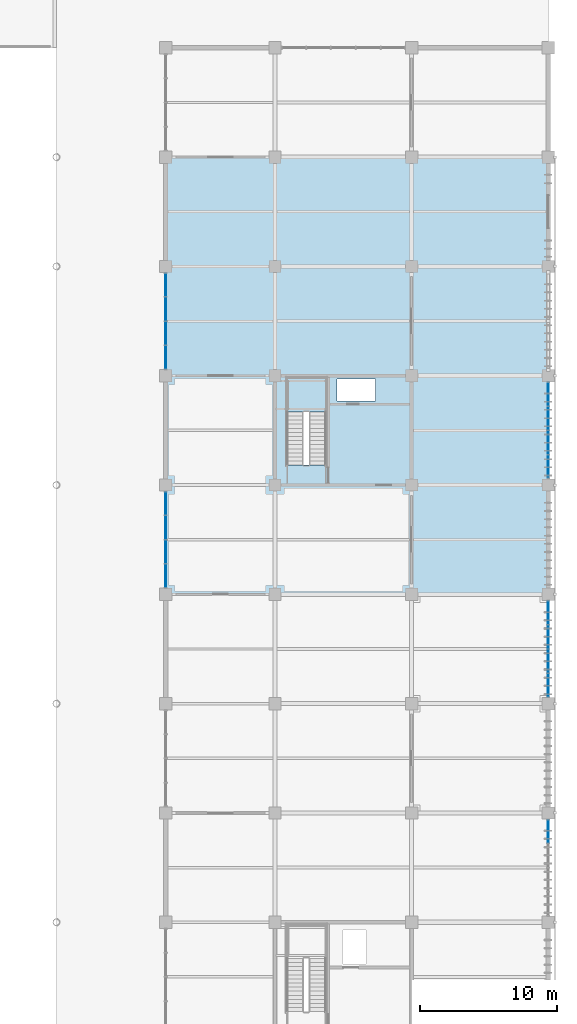
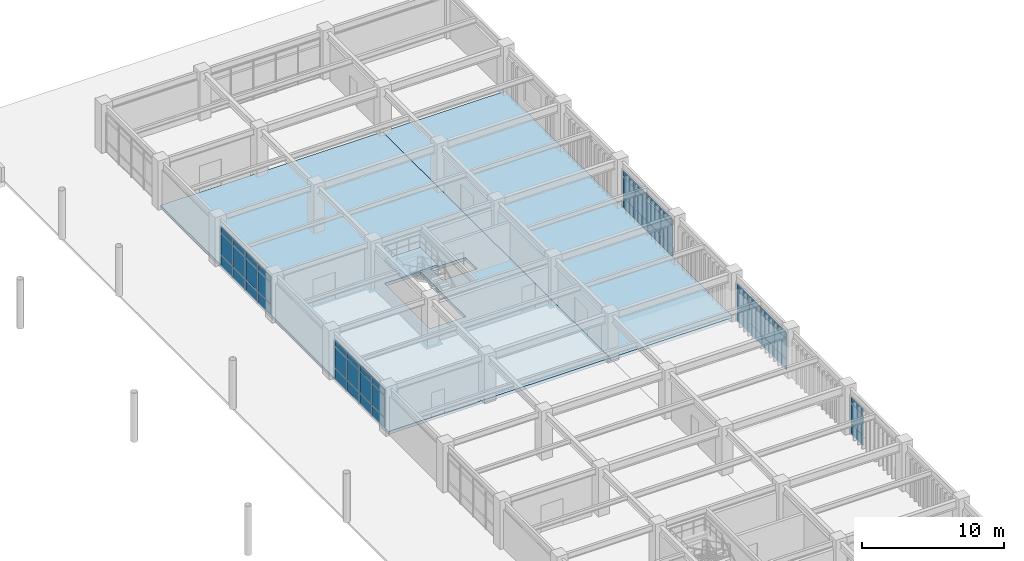
# One storey, part 78 of 118: 51 plates, 3 slabs, 6 elements without a shape of their own.
"""IFC4 building model written with IfcOpenShell, lengths in metres."""

import ifcopenshell
import ifcopenshell.guid

model = None  # the IFC model being written
_history = None  # IfcOwnerHistory: only IFC2X3 demands one
_inside = {}  # id of a spatial element -> (the spatial element, [elements in it])
_under = {}  # id of a project, library or spatial element -> (it, [spatial elements below it])
_declared = {}  # id of a project -> (the project, [libraries it declares])
_typed = {}  # id of a type object -> (the type object, [elements of that type])
_made_of = {}  # id of a material, layer set ... -> (it, [elements and type objects made of it])


def new_model(schema):
    """Start an empty IFC model of exactly this schema.

    Asked for "IFC4X3", IfcOpenShell would pick the latest addendum, in which some entities
    have other attributes; the version numbers below select the first issue.
    IFC2X3 requires an IfcOwnerHistory on every rooted entity: one is made here for all.
    """
    global model, _history
    if schema == "IFC4X3":
        model = ifcopenshell.file(schema_version=(4, 3, 0, 0))
    else:
        model = ifcopenshell.file(schema=schema)
    _inside.clear()
    _under.clear()
    _declared.clear()
    _typed.clear()
    _made_of.clear()
    _history = None
    if model.schema == "IFC2X3":
        org = make("IfcOrganization", Name="unknown")
        user = make(
            "IfcPersonAndOrganization",
            ThePerson=make("IfcPerson", FamilyName="unknown"),
            TheOrganization=org,
        )
        app = make(
            "IfcApplication",
            ApplicationDeveloper=org,
            Version="unknown",
            ApplicationFullName="unknown",
            ApplicationIdentifier="unknown",
        )
        _history = make(
            "IfcOwnerHistory",
            OwningUser=user,
            OwningApplication=app,
            ChangeAction="ADDED",
            CreationDate=0,
        )
    return model


def make(cls, **values):
    """One entity of the class cls with the attributes given. An attribute that is None is left unset."""
    return model.create_entity(
        cls, **{name: value for name, value in values.items() if value is not None}
    )


def rooted(cls, **values):
    """An entity with a GlobalId (a new one), such as an element, a storey or a relation."""
    return make(cls, GlobalId=ifcopenshell.guid.new(), OwnerHistory=_history, **values)


def si_unit(unit_type, name, prefix=None):
    """IfcSIUnit, for example si_unit("LENGTHUNIT", "METRE", prefix="MILLI")."""
    return make("IfcSIUnit", UnitType=unit_type, Prefix=prefix, Name=name)


def assignment(units):
    """IfcUnitAssignment: the units of a project."""
    return None if units is None else make("IfcUnitAssignment", Units=units)


def point(xyz):
    """IfcCartesianPoint."""
    return None if xyz is None else make("IfcCartesianPoint", Coordinates=xyz)


def direction(xyz):
    """IfcDirection."""
    return None if xyz is None else make("IfcDirection", DirectionRatios=xyz)


def frame(location, z_axis=None, x_axis=None):
    """IfcAxis2Placement3D, a coordinate frame: its origin and axes. An axis left out is left unset."""
    return make(
        "IfcAxis2Placement3D",
        Location=point(location),
        Axis=direction(z_axis),
        RefDirection=direction(x_axis),
    )


def frame_2d(location, x_axis=None):
    """IfcAxis2Placement2D, a coordinate frame in the plane: its origin and x axis."""
    return make(
        "IfcAxis2Placement2D", Location=point(location), RefDirection=direction(x_axis)
    )


def origin():
    """The frame at (0, 0, 0) with its axes left unset."""
    return frame((0.0, 0.0, 0.0))


def origin_2d():
    """The frame at (0, 0) in the plane with its x axis left unset."""
    return frame_2d((0.0, 0.0))


def place(relative_to, where):
    """IfcLocalPlacement: puts the frame where relative to a parent placement (None: the world)."""
    return make(
        "IfcLocalPlacement", PlacementRelTo=relative_to, RelativePlacement=where
    )


def context(
    kind, dimensions, precision=None, world=None, true_north=None, identifier=None
):
    """IfcGeometricRepresentationContext, for example the 3D "Model" context."""
    return make(
        "IfcGeometricRepresentationContext",
        ContextIdentifier=identifier,
        ContextType=kind,
        CoordinateSpaceDimension=dimensions,
        Precision=precision,
        WorldCoordinateSystem=world,
        TrueNorth=true_north,
    )


def subcontext(parent, identifier, kind, view, scale=None):
    """IfcGeometricRepresentationSubContext, for example "Body" below "Model"."""
    return make(
        "IfcGeometricRepresentationSubContext",
        ContextIdentifier=identifier,
        ContextType=kind,
        ParentContext=parent,
        TargetScale=scale,
        TargetView=view,
    )


def project(units=None, contexts=None):
    """IfcProject with its units and contexts."""
    return rooted(
        "IfcProject",
        Name="project",
        RepresentationContexts=contexts,
        UnitsInContext=assignment(units),
    )


def spatial(cls, under=None, at=None, **own):
    """A site, building, storey or space (cls), placed at a placement, below another one or the project."""
    s = rooted(cls, ObjectPlacement=at, **own)
    if under is not None:
        _under.setdefault(under.id(), (under, []))[1].append(s)
    return s


def polyline(points):
    """IfcPolyline through the points."""
    return make("IfcPolyline", Points=[point(p) for p in points])


def profile(cls, at=None, kind="AREA", **sizes):
    """A parametric profile (cls). Its sizes go by their IFC names, for example OverallWidth=200.0."""
    return make(cls, ProfileType=kind, Position=at, **sizes)


def rectangle(**sizes):
    """IfcRectangleProfileDef."""
    return profile("IfcRectangleProfileDef", **sizes)


def outline(outer, holes=None, kind="AREA"):
    """IfcArbitraryClosedProfileDef: a profile drawn as a closed curve; with holes, ...WithVoids."""
    if holes is None:
        return make("IfcArbitraryClosedProfileDef", ProfileType=kind, OuterCurve=outer)
    return make(
        "IfcArbitraryProfileDefWithVoids",
        ProfileType=kind,
        OuterCurve=outer,
        InnerCurves=holes,
    )


def extrude(swept, where, along, depth):
    """IfcExtrudedAreaSolid: the profile swept, set in the frame where, extruded along a direction by depth."""
    return make(
        "IfcExtrudedAreaSolid",
        SweptArea=swept,
        Position=where,
        ExtrudedDirection=direction(along),
        Depth=depth,
    )


def shape(context_of_items, identifier, shape_type, items):
    """IfcShapeRepresentation: the items that make up one representation, for example the "Body"."""
    return make(
        "IfcShapeRepresentation",
        ContextOfItems=context_of_items,
        RepresentationIdentifier=identifier,
        RepresentationType=shape_type,
        Items=items,
    )


def material(Name=None, Category=None):
    """IfcMaterial."""
    return make("IfcMaterial", Name=Name, Category=Category)


def layer(
    of_material, thickness, ventilated=None, Name=None, Category=None, Priority=None
):
    """IfcMaterialLayer: one layer of a wall or slab, of a material (None: an air gap)."""
    return make(
        "IfcMaterialLayer",
        Material=of_material,
        LayerThickness=thickness,
        IsVentilated=ventilated,
        Name=Name,
        Category=Category,
        Priority=Priority,
    )


def layer_set(layers, Name=None):
    """IfcMaterialLayerSet."""
    return make("IfcMaterialLayerSet", MaterialLayers=layers, LayerSetName=Name)


def made_of(thing, what):
    """Note that an element or type object is made of a material, layer set ...; save() writes the relation."""
    if what is not None:
        _made_of.setdefault(what.id(), (what, []))[1].append(thing)
    return thing


def type_object(cls, material=None, **own):
    """A type object (cls), such as IfcWallType, which elements share."""
    return made_of(rooted(cls, **own), material)


def element(
    cls,
    number,
    at=None,
    inside=None,
    cuts=None,
    type_object=None,
    material=None,
    context=None,
    identifier="Body",
    shape_type=None,
    held_by="IfcProductDefinitionShape",
    body=None,
    shapes=None,
    **own,
):
    """One element of the class cls, such as IfcWall. Its Tag is "e" and its number.

    at: its placement. inside: the storey or other place that contains it. cuts: it is an
    opening in that element (IfcRelVoidsElement). A single representation is given by context,
    identifier, shape_type and body (its items); several are given by shapes. held_by: the class
    of the entity that holds the representations. save() writes the other relations.
    """
    e = rooted(cls, Tag="e%d" % number, ObjectPlacement=at, **own)
    if body is not None:
        shapes = [shape(context, identifier, shape_type, body)]
    if shapes is not None:
        e.Representation = make(held_by, Representations=shapes)
    if inside is not None:
        _inside.setdefault(inside.id(), (inside, []))[1].append(e)
    if cuts is not None:
        rooted(
            "IfcRelVoidsElement", RelatingBuildingElement=cuts, RelatedOpeningElement=e
        )
    if type_object is not None:
        _typed.setdefault(type_object.id(), (type_object, []))[1].append(e)
    return made_of(e, material)


def aggregate(whole, parts):
    """IfcRelAggregates: a whole, such as a stair, and the parts it consists of."""
    return rooted("IfcRelAggregates", RelatingObject=whole, RelatedObjects=parts)


def save(model, path):
    """Write the relations noted so far, then the file.

    IfcRelAggregates (storeys below a building ...), IfcRelContainedInSpatialStructure (elements
    in a storey), IfcRelDefinesByType, IfcRelAssociatesMaterial and IfcRelDeclares: one each for
    every whole, place, type object, material and project.
    """
    for whole, parts in _under.values():
        aggregate(whole, parts)
    for where, things in _inside.values():
        rooted(
            "IfcRelContainedInSpatialStructure",
            RelatedElements=things,
            RelatingStructure=where,
        )
    for kind, things in _typed.values():
        rooted("IfcRelDefinesByType", RelatedObjects=things, RelatingType=kind)
    for what, things in _made_of.values():
        rooted("IfcRelAssociatesMaterial", RelatedObjects=things, RelatingMaterial=what)
    for by, libraries in _declared.values():
        rooted("IfcRelDeclares", RelatingContext=by, RelatedDefinitions=libraries)
    model.write(path)


model = new_model("IFC4")

# Units and contexts
model_context = context("Model", 3, precision=1e-05, world=origin(), true_north=direction((0.0, 1.0)))
body_context = subcontext(model_context, "Body", "Model", "MODEL_VIEW")
ifc_project = project(units=[si_unit("LENGTHUNIT", "METRE"), si_unit("AREAUNIT", "SQUARE_METRE"), si_unit("VOLUMEUNIT", "CUBIC_METRE"), si_unit("PLANEANGLEUNIT", "RADIAN"), si_unit("MASSUNIT", "GRAM", prefix="KILO")], contexts=[model_context])

# Site, building, storey
site_placement = place(None, origin())
site = spatial("IfcSite", under=ifc_project, at=site_placement, CompositionType="ELEMENT")
building_placement = place(site_placement, origin())
building = spatial("IfcBuilding", under=site, at=building_placement, Name="Haebicheon Civic Stadium", CompositionType="ELEMENT")
storey_placement = place(building_placement, frame((0.0, 0.0, 14.39990234375)))
storey = spatial("IfcBuildingStorey", under=building, at=storey_placement, Name="L04", CompositionType="ELEMENT", Elevation=14.39990234375)

# Curtain wall, plates
ifc_material_1 = material(Name="Anodised aluminium and laminated glass", Category="aluminium")
ifc_layer_1 = layer(ifc_material_1, 0.179931640625, Name="Anodised aluminium and laminated glass")
ifc_layer_set_1 = layer_set([ifc_layer_1], Name="Anodised aluminium and laminated glass")
curtain_wall_type_1 = type_object("IfcCurtainWallType", Name="CW-7100x3330", PredefinedType="NOTDEFINED", material=ifc_layer_set_1)
curtain_wall_1_placement = place(storey_placement, origin())
curtain_wall_1 = element("IfcCurtainWall", 1, at=curtain_wall_1_placement, inside=storey, type_object=curtain_wall_type_1, material=ifc_layer_set_1, Name="L04 unitised curtain wall 172", PredefinedType="NOTDEFINED")
ifc_material_2 = material(Name="Double low-e acoustic laminated glass", Category="glass")
ifc_layer_2 = layer(ifc_material_2, 0.035888671875, Name="Double low-e acoustic laminated glass")
ifc_layer_set_2 = layer_set([ifc_layer_2], Name="Double low-e acoustic laminated glass")
plate_type_1 = type_object("IfcPlateType", Name="CWP-GLZ-36", PredefinedType="CURTAIN_PANEL", material=ifc_layer_set_2)
plate_1_placement = place(storey_placement, frame((208.0, 97.35498046875, 0.93505859375), z_axis=(0.0, 0.0, 1.0), x_axis=(0.0, 1.0, 0.0)))
plate_1 = element("IfcPlate", 2, at=plate_1_placement, type_object=plate_type_1, material=ifc_layer_set_2, Name="CW-L04-172 vision panel 1.2", PredefinedType="CURTAIN_PANEL", context=body_context, shape_type="SweptSolid", body=[
    extrude(rectangle(XDim=1.669921875, YDim=0.035888671875, at=origin_2d()), origin(), (0.0, 0.0, 1.0), 1.81005859375),
])
plate_2_placement = place(storey_placement, frame((208.0, 99.112060546875, 0.93505859375), z_axis=(0.0, 0.0, 1.0), x_axis=(0.0, 1.0, 0.0)))
plate_2 = element("IfcPlate", 3, at=plate_2_placement, type_object=plate_type_1, material=ifc_layer_set_2, Name="CW-L04-172 vision panel 2.2", PredefinedType="CURTAIN_PANEL", context=body_context, shape_type="SweptSolid", body=[
    extrude(rectangle(XDim=1.705078125, YDim=0.035888671875, at=origin_2d()), origin(), (0.0, 0.0, 1.0), 1.81005859375),
])
plate_3_placement = place(storey_placement, frame((208.0, 100.887939453125, 0.93505859375), z_axis=(0.0, 0.0, 1.0), x_axis=(0.0, 1.0, 0.0)))
plate_3 = element("IfcPlate", 4, at=plate_3_placement, type_object=plate_type_1, material=ifc_layer_set_2, Name="CW-L04-172 vision panel 3.2", PredefinedType="CURTAIN_PANEL", context=body_context, shape_type="SweptSolid", body=[
    extrude(rectangle(XDim=1.705078125, YDim=0.035888671875, at=origin_2d()), origin(), (0.0, 0.0, 1.0), 1.81005859375),
])
plate_4_placement = place(storey_placement, frame((208.0, 102.64501953125, 0.93505859375), z_axis=(0.0, 0.0, 1.0), x_axis=(0.0, 1.0, 0.0)))
plate_4 = element("IfcPlate", 5, at=plate_4_placement, type_object=plate_type_1, material=ifc_layer_set_2, Name="CW-L04-172 vision panel 4.2", PredefinedType="CURTAIN_PANEL", context=body_context, shape_type="SweptSolid", body=[
    extrude(rectangle(XDim=1.669921875, YDim=0.035888671875, at=origin_2d()), origin(), (0.0, 0.0, 1.0), 1.81005859375),
])

curtain_wall_2_placement = place(storey_placement, origin())
curtain_wall_2 = element("IfcCurtainWall", 6, at=curtain_wall_2_placement, inside=storey, type_object=curtain_wall_type_1, material=ifc_layer_set_1, Name="L04 unitised curtain wall 173", PredefinedType="NOTDEFINED")
plate_5_placement = place(storey_placement, frame((208.0, 113.35498046875, 0.93505859375), z_axis=(0.0, 0.0, 1.0), x_axis=(0.0, 1.0, 0.0)))
plate_5 = element("IfcPlate", 7, at=plate_5_placement, type_object=plate_type_1, material=ifc_layer_set_2, Name="CW-L04-173 vision panel 1.2", PredefinedType="CURTAIN_PANEL", context=body_context, shape_type="SweptSolid", body=[
    extrude(rectangle(XDim=1.669921875, YDim=0.035888671875, at=origin_2d()), origin(), (0.0, 0.0, 1.0), 1.81005859375),
])
plate_6_placement = place(storey_placement, frame((208.0, 115.112060546875, 0.93505859375), z_axis=(0.0, 0.0, 1.0), x_axis=(0.0, 1.0, 0.0)))
plate_6 = element("IfcPlate", 8, at=plate_6_placement, type_object=plate_type_1, material=ifc_layer_set_2, Name="CW-L04-173 vision panel 2.2", PredefinedType="CURTAIN_PANEL", context=body_context, shape_type="SweptSolid", body=[
    extrude(rectangle(XDim=1.705078125, YDim=0.035888671875, at=origin_2d()), origin(), (0.0, 0.0, 1.0), 1.81005859375),
])
plate_7_placement = place(storey_placement, frame((208.0, 116.887939453125, 0.93505859375), z_axis=(0.0, 0.0, 1.0), x_axis=(0.0, 1.0, 0.0)))
plate_7 = element("IfcPlate", 9, at=plate_7_placement, type_object=plate_type_1, material=ifc_layer_set_2, Name="CW-L04-173 vision panel 3.2", PredefinedType="CURTAIN_PANEL", context=body_context, shape_type="SweptSolid", body=[
    extrude(rectangle(XDim=1.705078125, YDim=0.035888671875, at=origin_2d()), origin(), (0.0, 0.0, 1.0), 1.81005859375),
])
plate_8_placement = place(storey_placement, frame((208.0, 118.64501953125, 0.93505859375), z_axis=(0.0, 0.0, 1.0), x_axis=(0.0, 1.0, 0.0)))
plate_8 = element("IfcPlate", 10, at=plate_8_placement, type_object=plate_type_1, material=ifc_layer_set_2, Name="CW-L04-173 vision panel 4.2", PredefinedType="CURTAIN_PANEL", context=body_context, shape_type="SweptSolid", body=[
    extrude(rectangle(XDim=1.669921875, YDim=0.035888671875, at=origin_2d()), origin(), (0.0, 0.0, 1.0), 1.81005859375),
])

# Curtain wall, plate
ifc_material_3 = material(Name="Anodised aluminium and laminated glass", Category="aluminium")
ifc_layer_3 = layer(ifc_material_3, 0.179931640625, Name="Anodised aluminium and laminated glass")
ifc_layer_set_3 = layer_set([ifc_layer_3], Name="Anodised aluminium and laminated glass")
curtain_wall_type_2 = type_object("IfcCurtainWallType", Name="CW-7100x3230", PredefinedType="NOTDEFINED", material=ifc_layer_set_3)
curtain_wall_3_placement = place(storey_placement, origin())
curtain_wall_3 = element("IfcCurtainWall", 11, at=curtain_wall_3_placement, inside=storey, type_object=curtain_wall_type_2, material=ifc_layer_set_3, Name="L04 unitised curtain wall 178", PredefinedType="NOTDEFINED")
plate_9_placement = place(storey_placement, frame((236.0, 78.64501953125, 0.93505859375), z_axis=(0.0, 0.0, 1.0), x_axis=(0.0, 1.0, 0.0)))
plate_9 = element("IfcPlate", 12, at=plate_9_placement, type_object=plate_type_1, material=ifc_layer_set_2, Name="CW-L04-178 vision panel 4.2", PredefinedType="CURTAIN_PANEL", context=body_context, shape_type="SweptSolid", body=[
    extrude(rectangle(XDim=1.669921875, YDim=0.035888671875, at=origin_2d()), origin(), (0.0, 0.0, 1.0), 1.7099609375),
])

# Curtain wall, plates
curtain_wall_4_placement = place(storey_placement, origin())
curtain_wall_4 = element("IfcCurtainWall", 13, at=curtain_wall_4_placement, inside=storey, type_object=curtain_wall_type_2, material=ifc_layer_set_3, Name="L04 unitised curtain wall 179", PredefinedType="NOTDEFINED")
plate_10_placement = place(storey_placement, frame((236.0, 89.35498046875, 0.93505859375), z_axis=(0.0, 0.0, 1.0), x_axis=(0.0, 1.0, 0.0)))
plate_10 = element("IfcPlate", 14, at=plate_10_placement, type_object=plate_type_1, material=ifc_layer_set_2, Name="CW-L04-179 vision panel 1.2", PredefinedType="CURTAIN_PANEL", context=body_context, shape_type="SweptSolid", body=[
    extrude(rectangle(XDim=1.669921875, YDim=0.035888671875, at=origin_2d()), origin(), (0.0, 0.0, 1.0), 1.7099609375),
])
plate_11_placement = place(storey_placement, frame((236.0, 91.112060546875, 0.93505859375), z_axis=(0.0, 0.0, 1.0), x_axis=(0.0, 1.0, 0.0)))
plate_11 = element("IfcPlate", 15, at=plate_11_placement, type_object=plate_type_1, material=ifc_layer_set_2, Name="CW-L04-179 vision panel 2.2", PredefinedType="CURTAIN_PANEL", context=body_context, shape_type="SweptSolid", body=[
    extrude(rectangle(XDim=1.705078125, YDim=0.035888671875, at=origin_2d()), origin(), (0.0, 0.0, 1.0), 1.7099609375),
])
plate_12_placement = place(storey_placement, frame((236.0, 92.887939453125, 0.93505859375), z_axis=(0.0, 0.0, 1.0), x_axis=(0.0, 1.0, 0.0)))
plate_12 = element("IfcPlate", 16, at=plate_12_placement, type_object=plate_type_1, material=ifc_layer_set_2, Name="CW-L04-179 vision panel 3.2", PredefinedType="CURTAIN_PANEL", context=body_context, shape_type="SweptSolid", body=[
    extrude(rectangle(XDim=1.705078125, YDim=0.035888671875, at=origin_2d()), origin(), (0.0, 0.0, 1.0), 1.7099609375),
])
plate_13_placement = place(storey_placement, frame((236.0, 94.64501953125, 0.93505859375), z_axis=(0.0, 0.0, 1.0), x_axis=(0.0, 1.0, 0.0)))
plate_13 = element("IfcPlate", 17, at=plate_13_placement, type_object=plate_type_1, material=ifc_layer_set_2, Name="CW-L04-179 vision panel 4.2", PredefinedType="CURTAIN_PANEL", context=body_context, shape_type="SweptSolid", body=[
    extrude(rectangle(XDim=1.669921875, YDim=0.035888671875, at=origin_2d()), origin(), (0.0, 0.0, 1.0), 1.7099609375),
])

curtain_wall_5_placement = place(storey_placement, origin())
curtain_wall_5 = element("IfcCurtainWall", 18, at=curtain_wall_5_placement, inside=storey, type_object=curtain_wall_type_2, material=ifc_layer_set_3, Name="L04 unitised curtain wall 180", PredefinedType="NOTDEFINED")
plate_14_placement = place(storey_placement, frame((236.0, 105.35498046875, 0.93505859375), z_axis=(0.0, 0.0, 1.0), x_axis=(0.0, 1.0, 0.0)))
plate_14 = element("IfcPlate", 19, at=plate_14_placement, type_object=plate_type_1, material=ifc_layer_set_2, Name="CW-L04-180 vision panel 1.2", PredefinedType="CURTAIN_PANEL", context=body_context, shape_type="SweptSolid", body=[
    extrude(rectangle(XDim=1.669921875, YDim=0.035888671875, at=origin_2d()), origin(), (0.0, 0.0, 1.0), 1.7099609375),
])
plate_15_placement = place(storey_placement, frame((236.0, 107.112060546875, 0.93505859375), z_axis=(0.0, 0.0, 1.0), x_axis=(0.0, 1.0, 0.0)))
plate_15 = element("IfcPlate", 20, at=plate_15_placement, type_object=plate_type_1, material=ifc_layer_set_2, Name="CW-L04-180 vision panel 2.2", PredefinedType="CURTAIN_PANEL", context=body_context, shape_type="SweptSolid", body=[
    extrude(rectangle(XDim=1.705078125, YDim=0.035888671875, at=origin_2d()), origin(), (0.0, 0.0, 1.0), 1.7099609375),
])
plate_16_placement = place(storey_placement, frame((236.0, 108.887939453125, 0.93505859375), z_axis=(0.0, 0.0, 1.0), x_axis=(0.0, 1.0, 0.0)))
plate_16 = element("IfcPlate", 21, at=plate_16_placement, type_object=plate_type_1, material=ifc_layer_set_2, Name="CW-L04-180 vision panel 3.2", PredefinedType="CURTAIN_PANEL", context=body_context, shape_type="SweptSolid", body=[
    extrude(rectangle(XDim=1.705078125, YDim=0.035888671875, at=origin_2d()), origin(), (0.0, 0.0, 1.0), 1.7099609375),
])
plate_17_placement = place(storey_placement, frame((236.0, 110.64501953125, 0.93505859375), z_axis=(0.0, 0.0, 1.0), x_axis=(0.0, 1.0, 0.0)))
plate_17 = element("IfcPlate", 22, at=plate_17_placement, type_object=plate_type_1, material=ifc_layer_set_2, Name="CW-L04-180 vision panel 4.2", PredefinedType="CURTAIN_PANEL", context=body_context, shape_type="SweptSolid", body=[
    extrude(rectangle(XDim=1.669921875, YDim=0.035888671875, at=origin_2d()), origin(), (0.0, 0.0, 1.0), 1.7099609375),
])

# Plate
ifc_material_4 = material(Name="Anodised aluminium 6063-T6", Category="aluminium")
ifc_layer_4 = layer(ifc_material_4, 0.053955078125, Name="Anodised aluminium 6063-T6")
ifc_layer_set_4 = layer_set([ifc_layer_4], Name="Anodised aluminium 6063-T6")
plate_type_2 = type_object("IfcPlateType", Name="CWP-SPD-54", PredefinedType="CURTAIN_PANEL", material=ifc_layer_set_4)
plate_18_placement = place(storey_placement, frame((208.0, 97.35498046875, 0.03515625), z_axis=(0.0, 0.0, 1.0), x_axis=(0.0, 1.0, 0.0)))
plate_18 = element("IfcPlate", 23, at=plate_18_placement, type_object=plate_type_2, material=ifc_layer_set_4, Name="CW-L04-172 spandrel panel 1.1", PredefinedType="CURTAIN_PANEL", context=body_context, shape_type="SweptSolid", body=[
    extrude(rectangle(XDim=1.669921875, YDim=0.053955078125, at=origin_2d()), origin(), (0.0, 0.0, 1.0), 0.830078125),
])

plate_19_placement = place(storey_placement, frame((208.0, 97.35498046875, 2.815185546875), z_axis=(0.0, 0.0, 1.0), x_axis=(0.0, 1.0, 0.0)))
plate_19 = element("IfcPlate", 24, at=plate_19_placement, type_object=plate_type_2, material=ifc_layer_set_4, Name="CW-L04-172 spandrel panel 1.3", PredefinedType="CURTAIN_PANEL", context=body_context, shape_type="SweptSolid", body=[
    extrude(rectangle(XDim=1.669921875, YDim=0.053955078125, at=origin_2d()), origin(), (0.0, 0.0, 1.0), 0.47998046875),
])

plate_20_placement = place(storey_placement, frame((208.0, 99.112060546875, 0.03515625), z_axis=(0.0, 0.0, 1.0), x_axis=(0.0, 1.0, 0.0)))
plate_20 = element("IfcPlate", 25, at=plate_20_placement, type_object=plate_type_2, material=ifc_layer_set_4, Name="CW-L04-172 spandrel panel 2.1", PredefinedType="CURTAIN_PANEL", context=body_context, shape_type="SweptSolid", body=[
    extrude(rectangle(XDim=1.705078125, YDim=0.053955078125, at=origin_2d()), origin(), (0.0, 0.0, 1.0), 0.830078125),
])

plate_21_placement = place(storey_placement, frame((208.0, 99.112060546875, 2.815185546875), z_axis=(0.0, 0.0, 1.0), x_axis=(0.0, 1.0, 0.0)))
plate_21 = element("IfcPlate", 26, at=plate_21_placement, type_object=plate_type_2, material=ifc_layer_set_4, Name="CW-L04-172 spandrel panel 2.3", PredefinedType="CURTAIN_PANEL", context=body_context, shape_type="SweptSolid", body=[
    extrude(rectangle(XDim=1.705078125, YDim=0.053955078125, at=origin_2d()), origin(), (0.0, 0.0, 1.0), 0.47998046875),
])

plate_22_placement = place(storey_placement, frame((208.0, 100.887939453125, 0.03515625), z_axis=(0.0, 0.0, 1.0), x_axis=(0.0, 1.0, 0.0)))
plate_22 = element("IfcPlate", 27, at=plate_22_placement, type_object=plate_type_2, material=ifc_layer_set_4, Name="CW-L04-172 spandrel panel 3.1", PredefinedType="CURTAIN_PANEL", context=body_context, shape_type="SweptSolid", body=[
    extrude(rectangle(XDim=1.705078125, YDim=0.053955078125, at=origin_2d()), origin(), (0.0, 0.0, 1.0), 0.830078125),
])

plate_23_placement = place(storey_placement, frame((208.0, 100.887939453125, 2.815185546875), z_axis=(0.0, 0.0, 1.0), x_axis=(0.0, 1.0, 0.0)))
plate_23 = element("IfcPlate", 28, at=plate_23_placement, type_object=plate_type_2, material=ifc_layer_set_4, Name="CW-L04-172 spandrel panel 3.3", PredefinedType="CURTAIN_PANEL", context=body_context, shape_type="SweptSolid", body=[
    extrude(rectangle(XDim=1.705078125, YDim=0.053955078125, at=origin_2d()), origin(), (0.0, 0.0, 1.0), 0.47998046875),
])

plate_24_placement = place(storey_placement, frame((208.0, 102.64501953125, 0.03515625), z_axis=(0.0, 0.0, 1.0), x_axis=(0.0, 1.0, 0.0)))
plate_24 = element("IfcPlate", 29, at=plate_24_placement, type_object=plate_type_2, material=ifc_layer_set_4, Name="CW-L04-172 spandrel panel 4.1", PredefinedType="CURTAIN_PANEL", context=body_context, shape_type="SweptSolid", body=[
    extrude(rectangle(XDim=1.669921875, YDim=0.053955078125, at=origin_2d()), origin(), (0.0, 0.0, 1.0), 0.830078125),
])

plate_25_placement = place(storey_placement, frame((208.0, 102.64501953125, 2.815185546875), z_axis=(0.0, 0.0, 1.0), x_axis=(0.0, 1.0, 0.0)))
plate_25 = element("IfcPlate", 30, at=plate_25_placement, type_object=plate_type_2, material=ifc_layer_set_4, Name="CW-L04-172 spandrel panel 4.3", PredefinedType="CURTAIN_PANEL", context=body_context, shape_type="SweptSolid", body=[
    extrude(rectangle(XDim=1.669921875, YDim=0.053955078125, at=origin_2d()), origin(), (0.0, 0.0, 1.0), 0.47998046875),
])

aggregate(curtain_wall_1, [plate_18, plate_1, plate_19, plate_20, plate_2, plate_21, plate_22, plate_3, plate_23, plate_24, plate_4, plate_25])

plate_26_placement = place(storey_placement, frame((208.0, 113.35498046875, 0.03515625), z_axis=(0.0, 0.0, 1.0), x_axis=(0.0, 1.0, 0.0)))
plate_26 = element("IfcPlate", 31, at=plate_26_placement, type_object=plate_type_2, material=ifc_layer_set_4, Name="CW-L04-173 spandrel panel 1.1", PredefinedType="CURTAIN_PANEL", context=body_context, shape_type="SweptSolid", body=[
    extrude(rectangle(XDim=1.669921875, YDim=0.053955078125, at=origin_2d()), origin(), (0.0, 0.0, 1.0), 0.830078125),
])

plate_27_placement = place(storey_placement, frame((208.0, 113.35498046875, 2.815185546875), z_axis=(0.0, 0.0, 1.0), x_axis=(0.0, 1.0, 0.0)))
plate_27 = element("IfcPlate", 32, at=plate_27_placement, type_object=plate_type_2, material=ifc_layer_set_4, Name="CW-L04-173 spandrel panel 1.3", PredefinedType="CURTAIN_PANEL", context=body_context, shape_type="SweptSolid", body=[
    extrude(rectangle(XDim=1.669921875, YDim=0.053955078125, at=origin_2d()), origin(), (0.0, 0.0, 1.0), 0.47998046875),
])

plate_28_placement = place(storey_placement, frame((208.0, 115.112060546875, 0.03515625), z_axis=(0.0, 0.0, 1.0), x_axis=(0.0, 1.0, 0.0)))
plate_28 = element("IfcPlate", 33, at=plate_28_placement, type_object=plate_type_2, material=ifc_layer_set_4, Name="CW-L04-173 spandrel panel 2.1", PredefinedType="CURTAIN_PANEL", context=body_context, shape_type="SweptSolid", body=[
    extrude(rectangle(XDim=1.705078125, YDim=0.053955078125, at=origin_2d()), origin(), (0.0, 0.0, 1.0), 0.830078125),
])

plate_29_placement = place(storey_placement, frame((208.0, 115.112060546875, 2.815185546875), z_axis=(0.0, 0.0, 1.0), x_axis=(0.0, 1.0, 0.0)))
plate_29 = element("IfcPlate", 34, at=plate_29_placement, type_object=plate_type_2, material=ifc_layer_set_4, Name="CW-L04-173 spandrel panel 2.3", PredefinedType="CURTAIN_PANEL", context=body_context, shape_type="SweptSolid", body=[
    extrude(rectangle(XDim=1.705078125, YDim=0.053955078125, at=origin_2d()), origin(), (0.0, 0.0, 1.0), 0.47998046875),
])

plate_30_placement = place(storey_placement, frame((208.0, 116.887939453125, 0.03515625), z_axis=(0.0, 0.0, 1.0), x_axis=(0.0, 1.0, 0.0)))
plate_30 = element("IfcPlate", 35, at=plate_30_placement, type_object=plate_type_2, material=ifc_layer_set_4, Name="CW-L04-173 spandrel panel 3.1", PredefinedType="CURTAIN_PANEL", context=body_context, shape_type="SweptSolid", body=[
    extrude(rectangle(XDim=1.705078125, YDim=0.053955078125, at=origin_2d()), origin(), (0.0, 0.0, 1.0), 0.830078125),
])

plate_31_placement = place(storey_placement, frame((208.0, 116.887939453125, 2.815185546875), z_axis=(0.0, 0.0, 1.0), x_axis=(0.0, 1.0, 0.0)))
plate_31 = element("IfcPlate", 36, at=plate_31_placement, type_object=plate_type_2, material=ifc_layer_set_4, Name="CW-L04-173 spandrel panel 3.3", PredefinedType="CURTAIN_PANEL", context=body_context, shape_type="SweptSolid", body=[
    extrude(rectangle(XDim=1.705078125, YDim=0.053955078125, at=origin_2d()), origin(), (0.0, 0.0, 1.0), 0.47998046875),
])

plate_32_placement = place(storey_placement, frame((208.0, 118.64501953125, 0.03515625), z_axis=(0.0, 0.0, 1.0), x_axis=(0.0, 1.0, 0.0)))
plate_32 = element("IfcPlate", 37, at=plate_32_placement, type_object=plate_type_2, material=ifc_layer_set_4, Name="CW-L04-173 spandrel panel 4.1", PredefinedType="CURTAIN_PANEL", context=body_context, shape_type="SweptSolid", body=[
    extrude(rectangle(XDim=1.669921875, YDim=0.053955078125, at=origin_2d()), origin(), (0.0, 0.0, 1.0), 0.830078125),
])

plate_33_placement = place(storey_placement, frame((208.0, 118.64501953125, 2.815185546875), z_axis=(0.0, 0.0, 1.0), x_axis=(0.0, 1.0, 0.0)))
plate_33 = element("IfcPlate", 38, at=plate_33_placement, type_object=plate_type_2, material=ifc_layer_set_4, Name="CW-L04-173 spandrel panel 4.3", PredefinedType="CURTAIN_PANEL", context=body_context, shape_type="SweptSolid", body=[
    extrude(rectangle(XDim=1.669921875, YDim=0.053955078125, at=origin_2d()), origin(), (0.0, 0.0, 1.0), 0.47998046875),
])

aggregate(curtain_wall_2, [plate_26, plate_5, plate_27, plate_28, plate_6, plate_29, plate_30, plate_7, plate_31, plate_32, plate_8, plate_33])

plate_34_placement = place(storey_placement, frame((236.0, 78.64501953125, 0.03515625), z_axis=(0.0, 0.0, 1.0), x_axis=(0.0, 1.0, 0.0)))
plate_34 = element("IfcPlate", 39, at=plate_34_placement, type_object=plate_type_2, material=ifc_layer_set_4, Name="CW-L04-178 spandrel panel 4.1", PredefinedType="CURTAIN_PANEL", context=body_context, shape_type="SweptSolid", body=[
    extrude(rectangle(XDim=1.669921875, YDim=0.053955078125, at=origin_2d()), origin(), (0.0, 0.0, 1.0), 0.830078125),
])

plate_35_placement = place(storey_placement, frame((236.0, 78.64501953125, 2.715087890625), z_axis=(0.0, 0.0, 1.0), x_axis=(0.0, 1.0, 0.0)))
plate_35 = element("IfcPlate", 40, at=plate_35_placement, type_object=plate_type_2, material=ifc_layer_set_4, Name="CW-L04-178 spandrel panel 4.3", PredefinedType="CURTAIN_PANEL", context=body_context, shape_type="SweptSolid", body=[
    extrude(rectangle(XDim=1.669921875, YDim=0.053955078125, at=origin_2d()), origin(), (0.0, 0.0, 1.0), 0.47998046875),
])

aggregate(curtain_wall_3, [plate_34, plate_9, plate_35])

plate_36_placement = place(storey_placement, frame((236.0, 89.35498046875, 0.03515625), z_axis=(0.0, 0.0, 1.0), x_axis=(0.0, 1.0, 0.0)))
plate_36 = element("IfcPlate", 41, at=plate_36_placement, type_object=plate_type_2, material=ifc_layer_set_4, Name="CW-L04-179 spandrel panel 1.1", PredefinedType="CURTAIN_PANEL", context=body_context, shape_type="SweptSolid", body=[
    extrude(rectangle(XDim=1.669921875, YDim=0.053955078125, at=origin_2d()), origin(), (0.0, 0.0, 1.0), 0.830078125),
])

plate_37_placement = place(storey_placement, frame((236.0, 89.35498046875, 2.715087890625), z_axis=(0.0, 0.0, 1.0), x_axis=(0.0, 1.0, 0.0)))
plate_37 = element("IfcPlate", 42, at=plate_37_placement, type_object=plate_type_2, material=ifc_layer_set_4, Name="CW-L04-179 spandrel panel 1.3", PredefinedType="CURTAIN_PANEL", context=body_context, shape_type="SweptSolid", body=[
    extrude(rectangle(XDim=1.669921875, YDim=0.053955078125, at=origin_2d()), origin(), (0.0, 0.0, 1.0), 0.47998046875),
])

plate_38_placement = place(storey_placement, frame((236.0, 91.112060546875, 0.03515625), z_axis=(0.0, 0.0, 1.0), x_axis=(0.0, 1.0, 0.0)))
plate_38 = element("IfcPlate", 43, at=plate_38_placement, type_object=plate_type_2, material=ifc_layer_set_4, Name="CW-L04-179 spandrel panel 2.1", PredefinedType="CURTAIN_PANEL", context=body_context, shape_type="SweptSolid", body=[
    extrude(rectangle(XDim=1.705078125, YDim=0.053955078125, at=origin_2d()), origin(), (0.0, 0.0, 1.0), 0.830078125),
])

plate_39_placement = place(storey_placement, frame((236.0, 91.112060546875, 2.715087890625), z_axis=(0.0, 0.0, 1.0), x_axis=(0.0, 1.0, 0.0)))
plate_39 = element("IfcPlate", 44, at=plate_39_placement, type_object=plate_type_2, material=ifc_layer_set_4, Name="CW-L04-179 spandrel panel 2.3", PredefinedType="CURTAIN_PANEL", context=body_context, shape_type="SweptSolid", body=[
    extrude(rectangle(XDim=1.705078125, YDim=0.053955078125, at=origin_2d()), origin(), (0.0, 0.0, 1.0), 0.47998046875),
])

plate_40_placement = place(storey_placement, frame((236.0, 92.887939453125, 0.03515625), z_axis=(0.0, 0.0, 1.0), x_axis=(0.0, 1.0, 0.0)))
plate_40 = element("IfcPlate", 45, at=plate_40_placement, type_object=plate_type_2, material=ifc_layer_set_4, Name="CW-L04-179 spandrel panel 3.1", PredefinedType="CURTAIN_PANEL", context=body_context, shape_type="SweptSolid", body=[
    extrude(rectangle(XDim=1.705078125, YDim=0.053955078125, at=origin_2d()), origin(), (0.0, 0.0, 1.0), 0.830078125),
])

plate_41_placement = place(storey_placement, frame((236.0, 92.887939453125, 2.715087890625), z_axis=(0.0, 0.0, 1.0), x_axis=(0.0, 1.0, 0.0)))
plate_41 = element("IfcPlate", 46, at=plate_41_placement, type_object=plate_type_2, material=ifc_layer_set_4, Name="CW-L04-179 spandrel panel 3.3", PredefinedType="CURTAIN_PANEL", context=body_context, shape_type="SweptSolid", body=[
    extrude(rectangle(XDim=1.705078125, YDim=0.053955078125, at=origin_2d()), origin(), (0.0, 0.0, 1.0), 0.47998046875),
])

plate_42_placement = place(storey_placement, frame((236.0, 94.64501953125, 0.03515625), z_axis=(0.0, 0.0, 1.0), x_axis=(0.0, 1.0, 0.0)))
plate_42 = element("IfcPlate", 47, at=plate_42_placement, type_object=plate_type_2, material=ifc_layer_set_4, Name="CW-L04-179 spandrel panel 4.1", PredefinedType="CURTAIN_PANEL", context=body_context, shape_type="SweptSolid", body=[
    extrude(rectangle(XDim=1.669921875, YDim=0.053955078125, at=origin_2d()), origin(), (0.0, 0.0, 1.0), 0.830078125),
])

plate_43_placement = place(storey_placement, frame((236.0, 94.64501953125, 2.715087890625), z_axis=(0.0, 0.0, 1.0), x_axis=(0.0, 1.0, 0.0)))
plate_43 = element("IfcPlate", 48, at=plate_43_placement, type_object=plate_type_2, material=ifc_layer_set_4, Name="CW-L04-179 spandrel panel 4.3", PredefinedType="CURTAIN_PANEL", context=body_context, shape_type="SweptSolid", body=[
    extrude(rectangle(XDim=1.669921875, YDim=0.053955078125, at=origin_2d()), origin(), (0.0, 0.0, 1.0), 0.47998046875),
])

aggregate(curtain_wall_4, [plate_36, plate_10, plate_37, plate_38, plate_11, plate_39, plate_40, plate_12, plate_41, plate_42, plate_13, plate_43])

plate_44_placement = place(storey_placement, frame((236.0, 105.35498046875, 0.03515625), z_axis=(0.0, 0.0, 1.0), x_axis=(0.0, 1.0, 0.0)))
plate_44 = element("IfcPlate", 49, at=plate_44_placement, type_object=plate_type_2, material=ifc_layer_set_4, Name="CW-L04-180 spandrel panel 1.1", PredefinedType="CURTAIN_PANEL", context=body_context, shape_type="SweptSolid", body=[
    extrude(rectangle(XDim=1.669921875, YDim=0.053955078125, at=origin_2d()), origin(), (0.0, 0.0, 1.0), 0.830078125),
])

plate_45_placement = place(storey_placement, frame((236.0, 105.35498046875, 2.715087890625), z_axis=(0.0, 0.0, 1.0), x_axis=(0.0, 1.0, 0.0)))
plate_45 = element("IfcPlate", 50, at=plate_45_placement, type_object=plate_type_2, material=ifc_layer_set_4, Name="CW-L04-180 spandrel panel 1.3", PredefinedType="CURTAIN_PANEL", context=body_context, shape_type="SweptSolid", body=[
    extrude(rectangle(XDim=1.669921875, YDim=0.053955078125, at=origin_2d()), origin(), (0.0, 0.0, 1.0), 0.47998046875),
])

plate_46_placement = place(storey_placement, frame((236.0, 107.112060546875, 0.03515625), z_axis=(0.0, 0.0, 1.0), x_axis=(0.0, 1.0, 0.0)))
plate_46 = element("IfcPlate", 51, at=plate_46_placement, type_object=plate_type_2, material=ifc_layer_set_4, Name="CW-L04-180 spandrel panel 2.1", PredefinedType="CURTAIN_PANEL", context=body_context, shape_type="SweptSolid", body=[
    extrude(rectangle(XDim=1.705078125, YDim=0.053955078125, at=origin_2d()), origin(), (0.0, 0.0, 1.0), 0.830078125),
])

plate_47_placement = place(storey_placement, frame((236.0, 107.112060546875, 2.715087890625), z_axis=(0.0, 0.0, 1.0), x_axis=(0.0, 1.0, 0.0)))
plate_47 = element("IfcPlate", 52, at=plate_47_placement, type_object=plate_type_2, material=ifc_layer_set_4, Name="CW-L04-180 spandrel panel 2.3", PredefinedType="CURTAIN_PANEL", context=body_context, shape_type="SweptSolid", body=[
    extrude(rectangle(XDim=1.705078125, YDim=0.053955078125, at=origin_2d()), origin(), (0.0, 0.0, 1.0), 0.47998046875),
])

plate_48_placement = place(storey_placement, frame((236.0, 108.887939453125, 0.03515625), z_axis=(0.0, 0.0, 1.0), x_axis=(0.0, 1.0, 0.0)))
plate_48 = element("IfcPlate", 53, at=plate_48_placement, type_object=plate_type_2, material=ifc_layer_set_4, Name="CW-L04-180 spandrel panel 3.1", PredefinedType="CURTAIN_PANEL", context=body_context, shape_type="SweptSolid", body=[
    extrude(rectangle(XDim=1.705078125, YDim=0.053955078125, at=origin_2d()), origin(), (0.0, 0.0, 1.0), 0.830078125),
])

plate_49_placement = place(storey_placement, frame((236.0, 108.887939453125, 2.715087890625), z_axis=(0.0, 0.0, 1.0), x_axis=(0.0, 1.0, 0.0)))
plate_49 = element("IfcPlate", 54, at=plate_49_placement, type_object=plate_type_2, material=ifc_layer_set_4, Name="CW-L04-180 spandrel panel 3.3", PredefinedType="CURTAIN_PANEL", context=body_context, shape_type="SweptSolid", body=[
    extrude(rectangle(XDim=1.705078125, YDim=0.053955078125, at=origin_2d()), origin(), (0.0, 0.0, 1.0), 0.47998046875),
])

plate_50_placement = place(storey_placement, frame((236.0, 110.64501953125, 0.03515625), z_axis=(0.0, 0.0, 1.0), x_axis=(0.0, 1.0, 0.0)))
plate_50 = element("IfcPlate", 55, at=plate_50_placement, type_object=plate_type_2, material=ifc_layer_set_4, Name="CW-L04-180 spandrel panel 4.1", PredefinedType="CURTAIN_PANEL", context=body_context, shape_type="SweptSolid", body=[
    extrude(rectangle(XDim=1.669921875, YDim=0.053955078125, at=origin_2d()), origin(), (0.0, 0.0, 1.0), 0.830078125),
])

plate_51_placement = place(storey_placement, frame((236.0, 110.64501953125, 2.715087890625), z_axis=(0.0, 0.0, 1.0), x_axis=(0.0, 1.0, 0.0)))
plate_51 = element("IfcPlate", 56, at=plate_51_placement, type_object=plate_type_2, material=ifc_layer_set_4, Name="CW-L04-180 spandrel panel 4.3", PredefinedType="CURTAIN_PANEL", context=body_context, shape_type="SweptSolid", body=[
    extrude(rectangle(XDim=1.669921875, YDim=0.053955078125, at=origin_2d()), origin(), (0.0, 0.0, 1.0), 0.47998046875),
])

aggregate(curtain_wall_5, [plate_44, plate_14, plate_45, plate_46, plate_15, plate_47, plate_48, plate_16, plate_49, plate_50, plate_17, plate_51])

# Slabs
ifc_material_5 = material(Name="Concrete C40/50", Category="concrete")
ifc_layer_5 = layer(ifc_material_5, 0.260009765625, Name="Concrete C40/50")
ifc_layer_set_5 = layer_set([ifc_layer_5], Name="Concrete C40/50")
slab_type_1 = type_object("IfcSlabType", Name="SLB-FLR-260", PredefinedType="FLOOR", material=ifc_layer_set_5)
slab_1_placement = place(storey_placement, frame((0.0, 0.0, -0.260009765625)))
element("IfcSlab", 57, at=slab_1_placement, inside=storey, type_object=slab_type_1, material=ifc_layer_set_5, Name="L04 V3 structural slab 3.1", PredefinedType="FLOOR", context=body_context, shape_type="SweptSolid", body=[
    extrude(outline(polyline([(208.0, 112.0), (208.0, 120.0), (208.0, 128.0), (216.0, 128.0), (226.0, 128.0), (226.0, 120.0), (226.0, 112.0), (226.0, 104.0), (226.0, 96.0), (216.0, 96.0), (208.0, 96.0), (208.0, 104.0), (208.0, 112.0)]), holes=[polyline([(216.840087890625, 105.4599609375), (219.739990234375, 105.4599609375), (219.739990234375, 111.840087890625), (216.840087890625, 111.840087890625), (216.840087890625, 105.4599609375)]), polyline([(220.550048828125, 110.14990234375), (223.35009765625, 110.14990234375), (223.35009765625, 111.75), (220.550048828125, 111.75), (220.550048828125, 110.14990234375)])]), origin(), (0.0, 0.0, 1.0), 0.260009765625),
])
slab_2_placement = place(storey_placement, frame((0.0, 0.0, -0.260009765625)))
element("IfcSlab", 58, at=slab_2_placement, inside=storey, type_object=slab_type_1, material=ifc_layer_set_5, Name="L04 V3 structural slab 7.1", PredefinedType="FLOOR", context=body_context, shape_type="SweptSolid", body=[
    extrude(outline(polyline([(226.0, 96.0), (226.0, 104.0), (226.0, 112.0), (226.0, 120.0), (226.0, 128.0), (236.0, 128.0), (236.0, 120.0), (236.0, 112.0), (236.0, 104.0), (236.0, 96.0), (226.0, 96.0)])), origin(), (0.0, 0.0, 1.0), 0.260009765625),
])

# Stair, slab
ifc_material_6 = material(Name="Concrete C40/50", Category="concrete")
stair_type = type_object("IfcStairType", Name="STR-DL-W126-H42", PredefinedType="HALF_TURN_STAIR", material=ifc_material_6)
stair_placement = place(storey_placement, origin())
stair = element("IfcStair", 59, at=stair_placement, inside=storey, type_object=stair_type, material=ifc_material_6, Name="L04 Escape stair ST-13", PredefinedType="HALF_TURN_STAIR")
ifc_material_7 = material(Name="Concrete C40/50", Category="concrete")
ifc_layer_6 = layer(ifc_material_7, 0.199951171875, Name="Concrete C40/50")
ifc_layer_set_6 = layer_set([ifc_layer_6], Name="Concrete C40/50")
slab_type_2 = type_object("IfcSlabType", Name="SLB-LND-200", PredefinedType="LANDING", material=ifc_layer_set_6)
slab_3_placement = place(storey_placement, frame((0.0, 0.0, 1.900146484375)))
slab_3 = element("IfcSlab", 60, at=slab_3_placement, type_object=slab_type_2, material=ifc_layer_set_6, Name="ST-13 landing 1", PredefinedType="LANDING", context=body_context, shape_type="SweptSolid", body=[
    extrude(outline(polyline([(219.739990234375, 109.35009765625), (219.739990234375, 111.840087890625), (216.840087890625, 111.840087890625), (216.840087890625, 109.35009765625), (219.739990234375, 109.35009765625)])), origin(), (0.0, 0.0, 1.0), 0.199951171875),
])
aggregate(stair, [slab_3])

save(model, "model.ifc")
